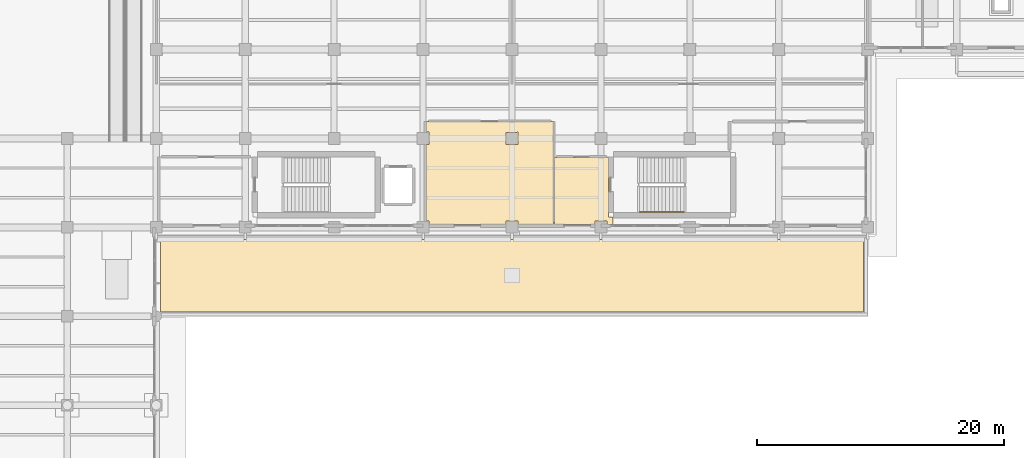
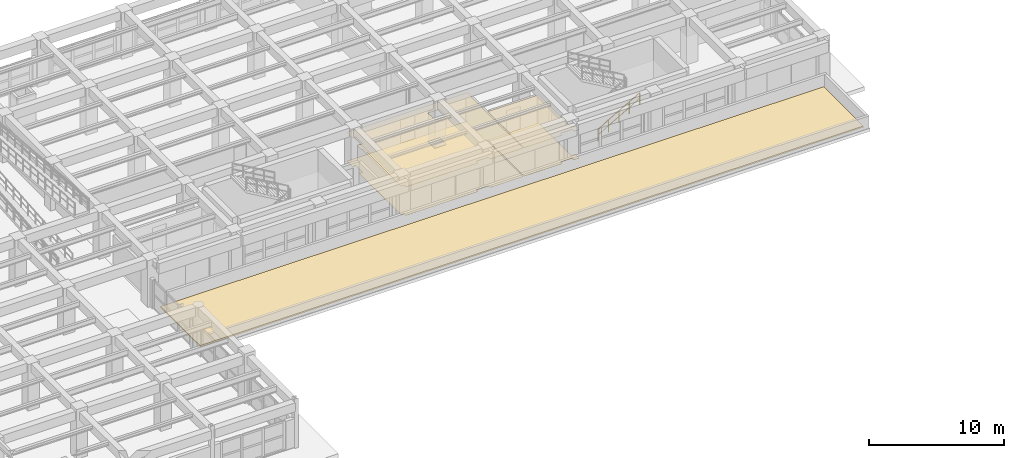
# One storey, part 55 of 64: 5 coverings, 1 railing.
"""IFC4 building model written with IfcOpenShell, lengths in metres."""

from ifc_helpers import new_model, si_unit, direction, frame, origin, origin_2d, place, context, subcontext, project, spatial, polyline, circle, outline, extrude, material, layer, layer_set, type_object, element, save


model = new_model("IFC4")

# Units and contexts
model_context = context("Model", 3, precision=1e-05, world=origin(), true_north=direction((0.0, 1.0)))
body_context = subcontext(model_context, "Body", "Model", "MODEL_VIEW")
ifc_project = project(units=[si_unit("LENGTHUNIT", "METRE"), si_unit("AREAUNIT", "SQUARE_METRE"), si_unit("VOLUMEUNIT", "CUBIC_METRE"), si_unit("PLANEANGLEUNIT", "RADIAN"), si_unit("MASSUNIT", "GRAM", prefix="KILO")], contexts=[model_context])

# Site, building, storey
site_placement = place(None, origin())
site = spatial("IfcSite", under=ifc_project, at=site_placement, CompositionType="ELEMENT")
building_placement = place(site_placement, origin())
building = spatial("IfcBuilding", under=site, at=building_placement, Name="Solenvale Faculty of Natural Sciences", CompositionType="ELEMENT")
storey_placement = place(building_placement, origin())
storey = spatial("IfcBuildingStorey", under=building, at=storey_placement, Name="L00", CompositionType="ELEMENT", Elevation=0.0)

# Coverings
ifc_material_1 = material(Name="Acoustic mineral-timber ceiling", Category="wood")
ifc_layer_1 = layer(ifc_material_1, 0.02490234375)
ifc_layer_set_1 = layer_set([ifc_layer_1], Name="Acoustic mineral-timber ceiling")
covering_type_1 = type_object("IfcCoveringType", Name="COV-CEIL-AC25", PredefinedType="CEILING", material=ifc_layer_set_1)
covering_1_placement = place(storey_placement, frame((0.0, 0.0, 2.574951171875)))
element("IfcCovering", 1, at=covering_1_placement, inside=storey, type_object=covering_type_1, Name="L00 General Chemistry Teaching Laboratory Acoustic Ceiling", PredefinedType="CEILING", context=body_context, shape_type="SweptSolid", body=[
    extrude(outline(polyline([(86.929931640625, 21.840087890625), (86.90087890625, 21.864013671875), (86.89990234375, 22.089111328125), (86.888916015625, 22.10009765625), (85.906982421875, 22.10009765625), (85.89990234375, 21.866943359375), (85.8701171875, 21.840087890625), (79.72998046875, 21.840087890625), (79.699951171875, 21.866943359375), (79.696044921875, 22.097900390625), (79.447021484375, 22.10009765625), (79.427001953125, 22.111083984375), (79.419921875, 28.27001953125), (79.447021484375, 28.300048828125), (79.68896484375, 28.300048828125), (79.699951171875, 28.31103515625), (79.699951171875, 29.291015625), (79.68896484375, 29.300048828125), (79.447021484375, 29.300048828125), (79.4208984375, 29.321044921875), (79.419921875, 30.1298828125), (79.430908203125, 30.153076171875), (89.72998046875, 30.159912109375), (89.7529296875, 30.14892578125), (89.759033203125, 21.861083984375), (89.72998046875, 21.840087890625), (86.929931640625, 21.840087890625)]), holes=[polyline([(86.89990234375, 29.2890625), (86.888916015625, 29.300048828125), (85.903076171875, 29.297119140625), (85.903076171875, 28.302978515625), (86.89697265625, 28.302978515625), (86.89990234375, 29.2890625)])]), origin(), (0.0, 0.0, 1.0), 0.025146484375),
])
covering_2_placement = place(storey_placement, frame((0.0, 0.0, 2.574951171875)))
element("IfcCovering", 2, at=covering_2_placement, inside=storey, type_object=covering_type_1, Name="L00 Protected Exit Vestibule ST-07 Acoustic Ceiling", PredefinedType="CEILING", context=body_context, shape_type="SweptSolid", body=[
    extrude(outline(polyline([(94.1298828125, 21.840087890625), (94.10107421875, 21.864013671875), (94.10009765625, 22.089111328125), (94.089111328125, 22.10009765625), (93.10693359375, 22.10009765625), (93.10009765625, 21.866943359375), (93.072998046875, 21.840087890625), (89.85009765625, 21.840087890625), (89.826904296875, 21.85107421875), (89.820068359375, 27.25), (89.8310546875, 27.27294921875), (94.18994140625, 27.280029296875), (94.212890625, 27.26904296875), (94.219970703125, 22.447998046875), (94.24609375, 22.419921875), (94.532958984375, 22.419921875), (94.555908203125, 22.404052734375), (94.56005859375, 21.8701171875), (94.532958984375, 21.840087890625), (94.1298828125, 21.840087890625)])), origin(), (0.0, 0.0, 1.0), 0.025146484375),
])
ifc_material_2 = material(Name="Polished slate terrazzo flooring", Category="masonry")
ifc_layer_2 = layer(ifc_material_2, 0.01806640625)
ifc_layer_set_2 = layer_set([ifc_layer_2], Name="Polished slate terrazzo flooring")
covering_type_2 = type_object("IfcCoveringType", Name="COV-FLR-TRZ18", PredefinedType="FLOORING", material=ifc_layer_set_2)
covering_3_placement = place(storey_placement, origin())
element("IfcCovering", 3, at=covering_3_placement, inside=storey, type_object=covering_type_2, Name="L00 Protected Exit Vestibule ST-07 Floor Finish", PredefinedType="FLOORING", context=body_context, shape_type="SweptSolid", body=[
    extrude(outline(polyline([(94.1298828125, 21.840087890625), (94.10107421875, 21.864013671875), (94.10009765625, 22.089111328125), (94.089111328125, 22.10009765625), (93.10693359375, 22.10009765625), (93.10009765625, 21.866943359375), (93.072998046875, 21.840087890625), (89.85009765625, 21.840087890625), (89.826904296875, 21.85107421875), (89.820068359375, 27.25), (89.8310546875, 27.27294921875), (94.18994140625, 27.280029296875), (94.212890625, 27.26904296875), (94.219970703125, 22.447998046875), (94.24609375, 22.419921875), (94.532958984375, 22.419921875), (94.555908203125, 22.404052734375), (94.56005859375, 21.8701171875), (94.532958984375, 21.840087890625), (94.1298828125, 21.840087890625)])), origin(), (0.0, 0.0, 1.0), 0.01806640625),
])
ifc_material_3 = material(Name="Seamless laboratory vinyl flooring")
ifc_layer_3 = layer(ifc_material_3, 0.008056640625)
ifc_layer_set_3 = layer_set([ifc_layer_3], Name="Seamless laboratory vinyl flooring")
covering_type_3 = type_object("IfcCoveringType", Name="COV-FLR-VNL08", PredefinedType="FLOORING", material=ifc_layer_set_3)
covering_4_placement = place(storey_placement, origin())
element("IfcCovering", 4, at=covering_4_placement, inside=storey, type_object=covering_type_3, Name="L00 General Chemistry Teaching Laboratory Floor Finish", PredefinedType="FLOORING", context=body_context, shape_type="SweptSolid", body=[
    extrude(outline(polyline([(86.929931640625, 21.840087890625), (86.90087890625, 21.864013671875), (86.89990234375, 22.089111328125), (86.888916015625, 22.10009765625), (85.906982421875, 22.10009765625), (85.89990234375, 21.866943359375), (85.8701171875, 21.840087890625), (79.72998046875, 21.840087890625), (79.699951171875, 21.866943359375), (79.696044921875, 22.097900390625), (79.447021484375, 22.10009765625), (79.427001953125, 22.111083984375), (79.419921875, 28.27001953125), (79.447021484375, 28.300048828125), (79.68896484375, 28.300048828125), (79.699951171875, 28.31103515625), (79.699951171875, 29.291015625), (79.68896484375, 29.300048828125), (79.447021484375, 29.300048828125), (79.4208984375, 29.321044921875), (79.419921875, 30.1298828125), (79.430908203125, 30.153076171875), (89.72998046875, 30.159912109375), (89.7529296875, 30.14892578125), (89.759033203125, 21.861083984375), (89.72998046875, 21.840087890625), (86.929931640625, 21.840087890625)]), holes=[polyline([(86.89990234375, 29.2890625), (86.888916015625, 29.300048828125), (85.903076171875, 29.297119140625), (85.903076171875, 28.302978515625), (86.89697265625, 28.302978515625), (86.89990234375, 29.2890625)])]), origin(), (0.0, 0.0, 1.0), 0.008056640625),
])
ifc_material_4 = material(Name="Planted green roof build-up")
ifc_layer_4 = layer(ifc_material_4, 0.1201171875)
ifc_layer_set_4 = layer_set([ifc_layer_4], Name="Planted green roof build-up")
covering_type_4 = type_object("IfcCoveringType", Name="COV-ROOF-GREEN", PredefinedType="ROOFING", material=ifc_layer_set_4)
covering_5_placement = place(storey_placement, origin())
element("IfcCovering", 5, at=covering_5_placement, inside=storey, type_object=covering_type_4, Name="L00 Roof Covering 1", PredefinedType="ROOFING", context=body_context, shape_type="SweptSolid", body=[
    extrude(outline(polyline([(57.949951171875, 14.75), (57.949951171875, 20.6298828125), (114.85009765625, 20.6298828125), (114.85009765625, 14.75), (57.949951171875, 14.75)])), origin(), (0.0, 0.0, 1.0), 0.1201171875),
])

# Railing
ifc_material_5 = material(Name="Stainless steel Grade 304", Category="steel")
railing_type = type_object("IfcRailingType", Name="RL-HND-900", PredefinedType="HANDRAIL", material=ifc_material_5)
railing_placement = place(storey_placement, frame((96.739990234375, 22.85009765625, 0.173095703125)))
element("IfcRailing", 6, at=railing_placement, inside=storey, type_object=railing_type, Name="L00 ST-07 stair handrail 1", PredefinedType="HANDRAIL", context=body_context, shape_type="SweptSolid", body=[
    extrude(circle(Radius=0.02392578125, at=origin_2d()), frame((0.0, 0.0, 1.0732421875), z_axis=(0.866193409371, 0.0, 0.499708892819), x_axis=(0.0, 1.0, 0.0)), (0.0, 0.0, 1.0), 4.15625),
    extrude(circle(Radius=0.01611328125, at=origin_2d()), frame((0.0, 0.0, 0.548583984375), z_axis=(0.866193409371, 0.0, 0.499708892819), x_axis=(0.0, 1.0, 0.0)), (0.0, 0.0, 1.0), 4.15625),
    extrude(circle(Radius=0.02099609375, at=origin_2d()), origin(), (0.0, 0.0, 1.0), 1.049072265625),
    extrude(circle(Radius=0.02099609375, at=origin_2d()), frame((0.89990234375, 0.0, 0.519287109375)), (0.0, 0.0, 1.0), 1.049072265625),
    extrude(circle(Radius=0.02099609375, at=origin_2d()), frame((1.800048828125, 0.0, 1.03857421875)), (0.0, 0.0, 1.0), 1.049072265625),
    extrude(circle(Radius=0.02099609375, at=origin_2d()), frame((2.7001953125, 0.0, 1.5576171875)), (0.0, 0.0, 1.0), 1.049072265625),
    extrude(circle(Radius=0.02099609375, at=origin_2d()), frame((3.60009765625, 0.0, 2.076904296875)), (0.0, 0.0, 1.0), 1.049072265625),
])

save(model, "model.ifc")
